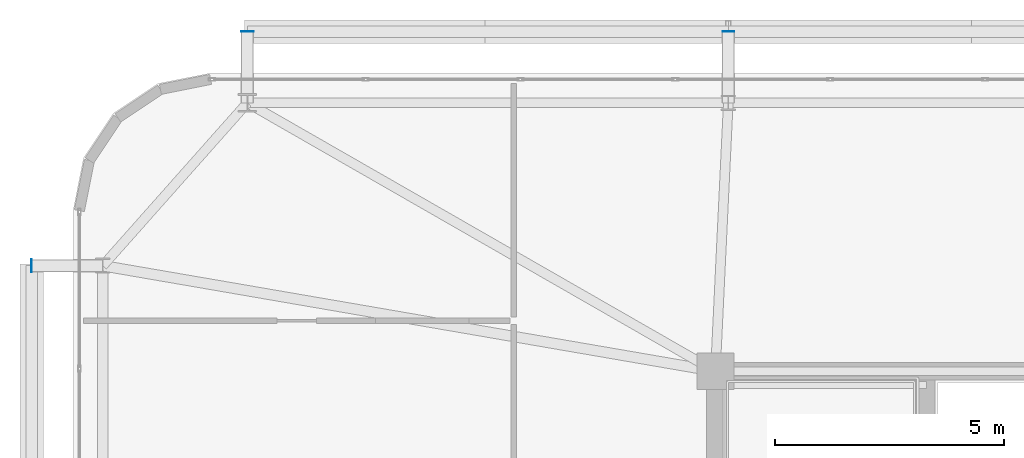
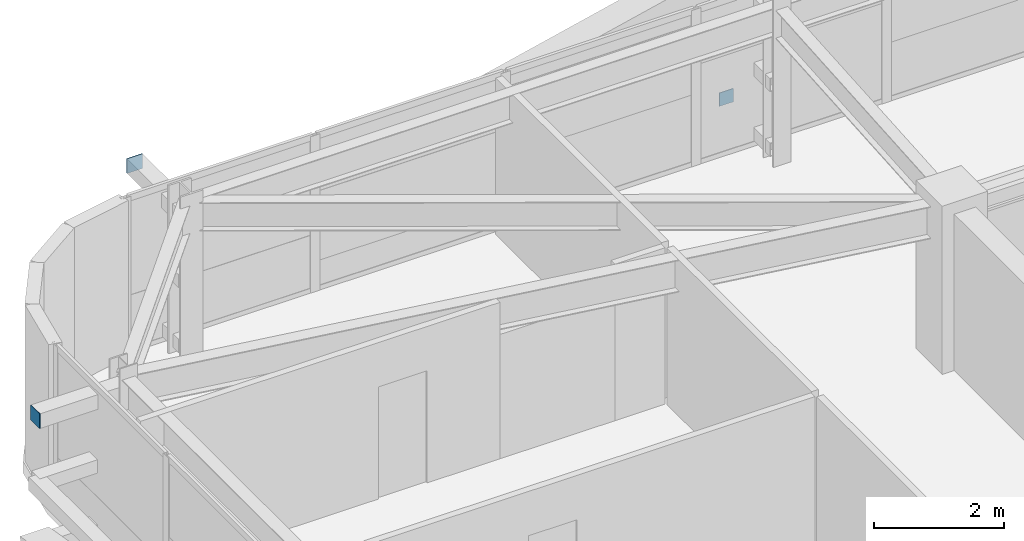
# One storey, part 49 of 59: 3 plates.
"""IFC4 building model written with IfcOpenShell, lengths in metres."""

from ifc_helpers import new_model, si_unit, direction, frame, origin, origin_2d, place, context, subcontext, project, spatial, rectangle, extrude, source, transform, mapped, material, layer, layer_set, type_object, element, save


model = new_model("IFC4")

# Units and contexts
model_context = context("Model", 3, precision=1e-05, world=origin(), true_north=direction((0.0, 1.0)))
body_context = subcontext(model_context, "Body", "Model", "MODEL_VIEW")
ifc_project = project(units=[si_unit("LENGTHUNIT", "METRE"), si_unit("AREAUNIT", "SQUARE_METRE"), si_unit("VOLUMEUNIT", "CUBIC_METRE"), si_unit("PLANEANGLEUNIT", "RADIAN"), si_unit("MASSUNIT", "GRAM", prefix="KILO")], contexts=[model_context])

# Site, building, storey
site_placement = place(None, origin())
site = spatial("IfcSite", under=ifc_project, at=site_placement, CompositionType="ELEMENT")
building_placement = place(site_placement, origin())
building = spatial("IfcBuilding", under=site, at=building_placement, Name="Taldren Reach Tower", CompositionType="ELEMENT")
storey_placement = place(building_placement, frame((0.0, 0.0, 23.10009765625)))
storey = spatial("IfcBuildingStorey", under=building, at=storey_placement, Name="L06", CompositionType="ELEMENT", Elevation=23.10009765625)

# Plates
ifc_material_1 = material(Name="Steel Gr 450 (C450L0)", Category="steel")
ifc_layer_1 = layer(ifc_material_1, 0.011962890625)
ifc_layer_set_1 = layer_set([ifc_layer_1], Name="Steel Gr 450 (C450L0)")
plate_type_1 = type_object("IfcPlateType", Name="PL-CAP-275", PredefinedType="SHEET", material=ifc_layer_set_1)
shared_shape_1 = source(origin(), body_context, "Body", "SweptSolid", [
    extrude(rectangle(XDim=0.27490234375, YDim=0.011962890625, at=origin_2d()), origin(), (0.0, 0.0, 1.0), 0.27490234375),
])
plate_1_placement = place(storey_placement, frame((8.800048828125, 39.406005859375, 2.512451171875), z_axis=(0.0, 0.0, 1.0), x_axis=(1.0, 0.0, 0.0)))
element("IfcPlate", 1, at=plate_1_placement, inside=storey, type_object=plate_type_1, Name="Tie strut end cap plate B1-N1 L06", PredefinedType="SHEET", context=body_context, shape_type="MappedRepresentation", body=[
    mapped(shared_shape_1, transform((0.0, 0.0, 0.0), scale=1.0)),
])
shared_shape_2 = source(origin(), body_context, "Body", "SweptSolid", [
    extrude(rectangle(XDim=0.011962890625, YDim=0.27490234375, at=origin_2d()), origin(), (0.0, 0.0, 1.0), 0.27490234375),
])
plate_2_placement = place(storey_placement, frame((4.093994140625, 34.300048828125, 2.512451171875), z_axis=(0.0, 0.0, 1.0), x_axis=(1.0, 0.0, 0.0)))
element("IfcPlate", 2, at=plate_2_placement, inside=storey, type_object=plate_type_1, Name="Tie strut end cap plate B1-W3 L06", PredefinedType="SHEET", context=body_context, shape_type="MappedRepresentation", body=[
    mapped(shared_shape_2, transform((0.0, 0.0, 0.0), scale=1.0)),
])
ifc_material_2 = material(Name="Steel Gr 350 (C350L0)", Category="steel")
ifc_layer_2 = layer(ifc_material_2, 0.011962890625)
ifc_layer_set_2 = layer_set([ifc_layer_2], Name="Steel Gr 350 (C350L0)")
plate_type_2 = type_object("IfcPlateType", Name="PL-CAP-250", PredefinedType="SHEET", material=ifc_layer_set_2)
shared_shape_3 = source(origin(), body_context, "Body", "SweptSolid", [
    extrude(rectangle(XDim=0.25, YDim=0.011962890625, at=origin_2d()), origin(), (0.0, 0.0, 1.0), 0.25),
])
plate_3_placement = place(storey_placement, frame((19.280029296875, 39.406005859375, 0.094970703125), z_axis=(0.0, 0.0, 1.0), x_axis=(1.0, 0.0, 0.0)))
element("IfcPlate", 3, at=plate_3_placement, inside=storey, type_object=plate_type_2, Name="Tie strut end cap plate B1-N2 L06", PredefinedType="SHEET", context=body_context, shape_type="MappedRepresentation", body=[
    mapped(shared_shape_3, transform((0.0, 0.0, 0.0), scale=1.0)),
])

save(model, "model.ifc")
